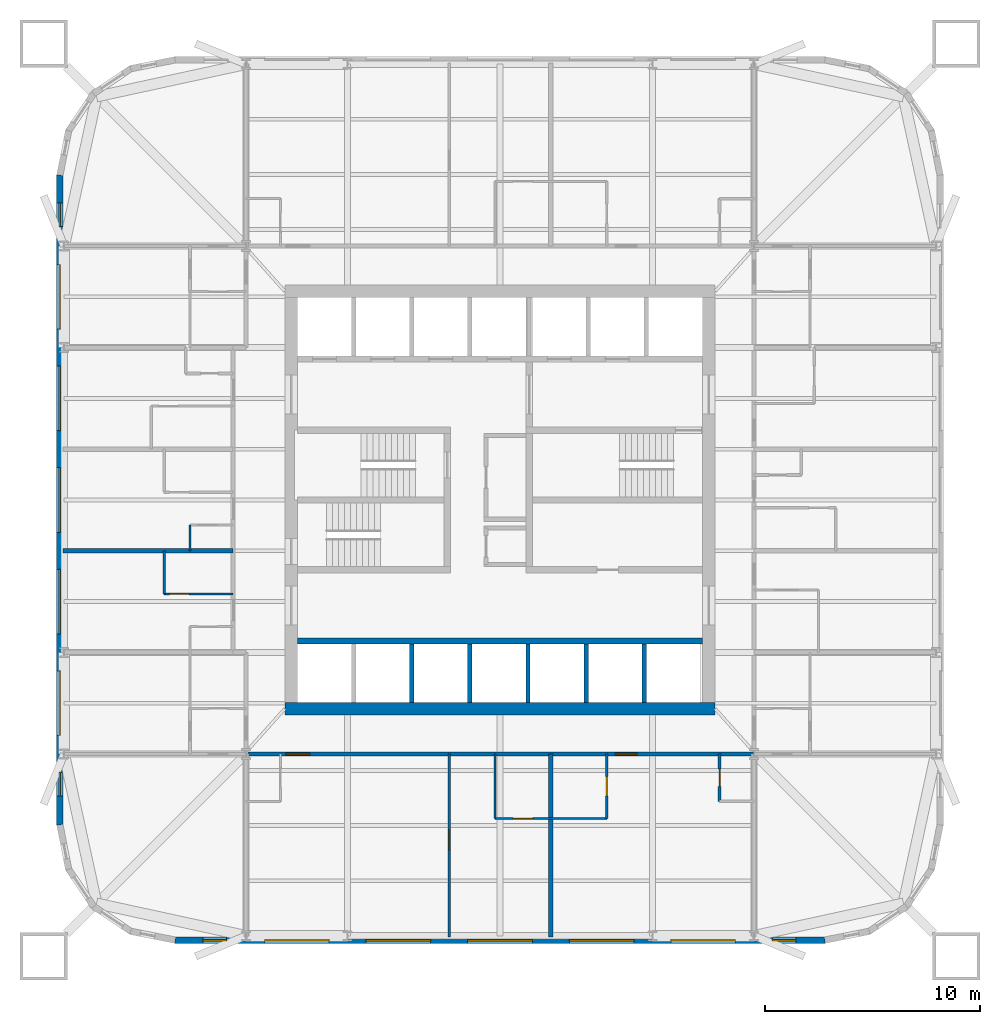
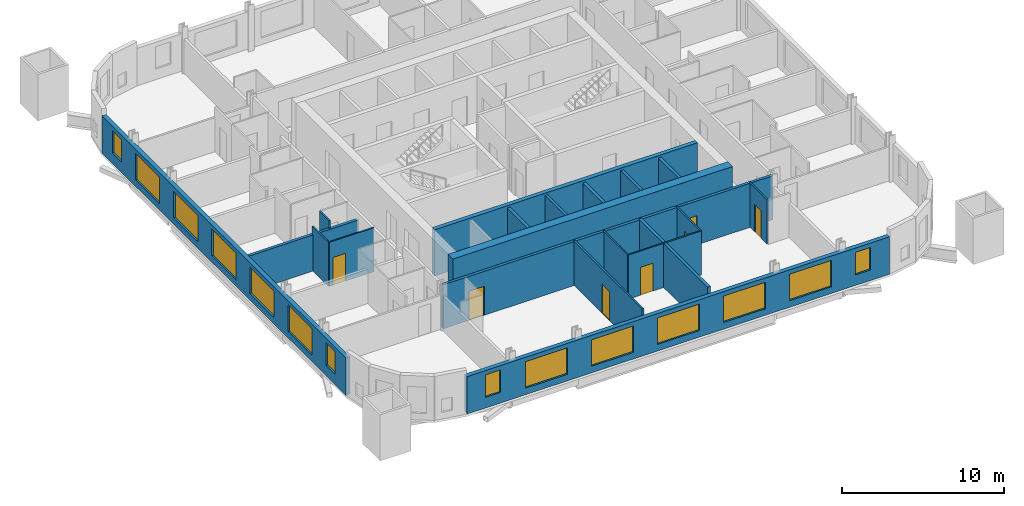
# One storey, part 3 of 9: 20 walls, 14 windows, 7 doors, 21 openings.
"""IFC4 building model written with IfcOpenShell, lengths in metres."""

import ifcopenshell
import ifcopenshell.guid

model = None  # the IFC model being written
_history = None  # IfcOwnerHistory: only IFC2X3 demands one
_inside = {}  # id of a spatial element -> (the spatial element, [elements in it])
_under = {}  # id of a project, library or spatial element -> (it, [spatial elements below it])
_declared = {}  # id of a project -> (the project, [libraries it declares])
_typed = {}  # id of a type object -> (the type object, [elements of that type])
_made_of = {}  # id of a material, layer set ... -> (it, [elements and type objects made of it])


def new_model(schema):
    """Start an empty IFC model of exactly this schema.

    Asked for "IFC4X3", IfcOpenShell would pick the latest addendum, in which some entities
    have other attributes; the version numbers below select the first issue.
    IFC2X3 requires an IfcOwnerHistory on every rooted entity: one is made here for all.
    """
    global model, _history
    if schema == "IFC4X3":
        model = ifcopenshell.file(schema_version=(4, 3, 0, 0))
    else:
        model = ifcopenshell.file(schema=schema)
    _inside.clear()
    _under.clear()
    _declared.clear()
    _typed.clear()
    _made_of.clear()
    _history = None
    if model.schema == "IFC2X3":
        org = make("IfcOrganization", Name="unknown")
        user = make(
            "IfcPersonAndOrganization",
            ThePerson=make("IfcPerson", FamilyName="unknown"),
            TheOrganization=org,
        )
        app = make(
            "IfcApplication",
            ApplicationDeveloper=org,
            Version="unknown",
            ApplicationFullName="unknown",
            ApplicationIdentifier="unknown",
        )
        _history = make(
            "IfcOwnerHistory",
            OwningUser=user,
            OwningApplication=app,
            ChangeAction="ADDED",
            CreationDate=0,
        )
    return model


def make(cls, **values):
    """One entity of the class cls with the attributes given. An attribute that is None is left unset."""
    return model.create_entity(
        cls, **{name: value for name, value in values.items() if value is not None}
    )


def rooted(cls, **values):
    """An entity with a GlobalId (a new one), such as an element, a storey or a relation."""
    return make(cls, GlobalId=ifcopenshell.guid.new(), OwnerHistory=_history, **values)


def si_unit(unit_type, name, prefix=None):
    """IfcSIUnit, for example si_unit("LENGTHUNIT", "METRE", prefix="MILLI")."""
    return make("IfcSIUnit", UnitType=unit_type, Prefix=prefix, Name=name)


def assignment(units):
    """IfcUnitAssignment: the units of a project."""
    return None if units is None else make("IfcUnitAssignment", Units=units)


def point(xyz):
    """IfcCartesianPoint."""
    return None if xyz is None else make("IfcCartesianPoint", Coordinates=xyz)


def direction(xyz):
    """IfcDirection."""
    return None if xyz is None else make("IfcDirection", DirectionRatios=xyz)


def frame(location, z_axis=None, x_axis=None):
    """IfcAxis2Placement3D, a coordinate frame: its origin and axes. An axis left out is left unset."""
    return make(
        "IfcAxis2Placement3D",
        Location=point(location),
        Axis=direction(z_axis),
        RefDirection=direction(x_axis),
    )


def frame_2d(location, x_axis=None):
    """IfcAxis2Placement2D, a coordinate frame in the plane: its origin and x axis."""
    return make(
        "IfcAxis2Placement2D", Location=point(location), RefDirection=direction(x_axis)
    )


def origin():
    """The frame at (0, 0, 0) with its axes left unset."""
    return frame((0.0, 0.0, 0.0))


def place(relative_to, where):
    """IfcLocalPlacement: puts the frame where relative to a parent placement (None: the world)."""
    return make(
        "IfcLocalPlacement", PlacementRelTo=relative_to, RelativePlacement=where
    )


def context(
    kind, dimensions, precision=None, world=None, true_north=None, identifier=None
):
    """IfcGeometricRepresentationContext, for example the 3D "Model" context."""
    return make(
        "IfcGeometricRepresentationContext",
        ContextIdentifier=identifier,
        ContextType=kind,
        CoordinateSpaceDimension=dimensions,
        Precision=precision,
        WorldCoordinateSystem=world,
        TrueNorth=true_north,
    )


def subcontext(parent, identifier, kind, view, scale=None):
    """IfcGeometricRepresentationSubContext, for example "Body" below "Model"."""
    return make(
        "IfcGeometricRepresentationSubContext",
        ContextIdentifier=identifier,
        ContextType=kind,
        ParentContext=parent,
        TargetScale=scale,
        TargetView=view,
    )


def project(units=None, contexts=None):
    """IfcProject with its units and contexts."""
    return rooted(
        "IfcProject",
        Name="project",
        RepresentationContexts=contexts,
        UnitsInContext=assignment(units),
    )


def spatial(cls, under=None, at=None, **own):
    """A site, building, storey or space (cls), placed at a placement, below another one or the project."""
    s = rooted(cls, ObjectPlacement=at, **own)
    if under is not None:
        _under.setdefault(under.id(), (under, []))[1].append(s)
    return s


def profile(cls, at=None, kind="AREA", **sizes):
    """A parametric profile (cls). Its sizes go by their IFC names, for example OverallWidth=200.0."""
    return make(cls, ProfileType=kind, Position=at, **sizes)


def rectangle(**sizes):
    """IfcRectangleProfileDef."""
    return profile("IfcRectangleProfileDef", **sizes)


def extrude(swept, where, along, depth):
    """IfcExtrudedAreaSolid: the profile swept, set in the frame where, extruded along a direction by depth."""
    return make(
        "IfcExtrudedAreaSolid",
        SweptArea=swept,
        Position=where,
        ExtrudedDirection=direction(along),
        Depth=depth,
    )


def shape(context_of_items, identifier, shape_type, items):
    """IfcShapeRepresentation: the items that make up one representation, for example the "Body"."""
    return make(
        "IfcShapeRepresentation",
        ContextOfItems=context_of_items,
        RepresentationIdentifier=identifier,
        RepresentationType=shape_type,
        Items=items,
    )


def material(Name=None, Category=None):
    """IfcMaterial."""
    return make("IfcMaterial", Name=Name, Category=Category)


def layer(
    of_material, thickness, ventilated=None, Name=None, Category=None, Priority=None
):
    """IfcMaterialLayer: one layer of a wall or slab, of a material (None: an air gap)."""
    return make(
        "IfcMaterialLayer",
        Material=of_material,
        LayerThickness=thickness,
        IsVentilated=ventilated,
        Name=Name,
        Category=Category,
        Priority=Priority,
    )


def layer_set(layers, Name=None):
    """IfcMaterialLayerSet."""
    return make("IfcMaterialLayerSet", MaterialLayers=layers, LayerSetName=Name)


def made_of(thing, what):
    """Note that an element or type object is made of a material, layer set ...; save() writes the relation."""
    if what is not None:
        _made_of.setdefault(what.id(), (what, []))[1].append(thing)
    return thing


def type_object(cls, material=None, **own):
    """A type object (cls), such as IfcWallType, which elements share."""
    return made_of(rooted(cls, **own), material)


def element(
    cls,
    number,
    at=None,
    inside=None,
    cuts=None,
    type_object=None,
    material=None,
    context=None,
    identifier="Body",
    shape_type=None,
    held_by="IfcProductDefinitionShape",
    body=None,
    shapes=None,
    **own,
):
    """One element of the class cls, such as IfcWall. Its Tag is "e" and its number.

    at: its placement. inside: the storey or other place that contains it. cuts: it is an
    opening in that element (IfcRelVoidsElement). A single representation is given by context,
    identifier, shape_type and body (its items); several are given by shapes. held_by: the class
    of the entity that holds the representations. save() writes the other relations.
    """
    e = rooted(cls, Tag="e%d" % number, ObjectPlacement=at, **own)
    if body is not None:
        shapes = [shape(context, identifier, shape_type, body)]
    if shapes is not None:
        e.Representation = make(held_by, Representations=shapes)
    if inside is not None:
        _inside.setdefault(inside.id(), (inside, []))[1].append(e)
    if cuts is not None:
        rooted(
            "IfcRelVoidsElement", RelatingBuildingElement=cuts, RelatedOpeningElement=e
        )
    if type_object is not None:
        _typed.setdefault(type_object.id(), (type_object, []))[1].append(e)
    return made_of(e, material)


def fill(opening, filler):
    """IfcRelFillsElement: the door or window that sits in an opening."""
    return rooted(
        "IfcRelFillsElement",
        RelatingOpeningElement=opening,
        RelatedBuildingElement=filler,
    )


def aggregate(whole, parts):
    """IfcRelAggregates: a whole, such as a stair, and the parts it consists of."""
    return rooted("IfcRelAggregates", RelatingObject=whole, RelatedObjects=parts)


def save(model, path):
    """Write the relations noted so far, then the file.

    IfcRelAggregates (storeys below a building ...), IfcRelContainedInSpatialStructure (elements
    in a storey), IfcRelDefinesByType, IfcRelAssociatesMaterial and IfcRelDeclares: one each for
    every whole, place, type object, material and project.
    """
    for whole, parts in _under.values():
        aggregate(whole, parts)
    for where, things in _inside.values():
        rooted(
            "IfcRelContainedInSpatialStructure",
            RelatedElements=things,
            RelatingStructure=where,
        )
    for kind, things in _typed.values():
        rooted("IfcRelDefinesByType", RelatedObjects=things, RelatingType=kind)
    for what, things in _made_of.values():
        rooted("IfcRelAssociatesMaterial", RelatedObjects=things, RelatingMaterial=what)
    for by, libraries in _declared.values():
        rooted("IfcRelDeclares", RelatingContext=by, RelatedDefinitions=libraries)
    model.write(path)


model = new_model("IFC4")

# Units and contexts
model_context = context("Model", 3, precision=1e-05, world=origin(), true_north=direction((0.0, 1.0)))
body_context = subcontext(model_context, "Body", "Model", "MODEL_VIEW")
ifc_project = project(units=[si_unit("LENGTHUNIT", "METRE"), si_unit("AREAUNIT", "SQUARE_METRE"), si_unit("VOLUMEUNIT", "CUBIC_METRE"), si_unit("PLANEANGLEUNIT", "RADIAN"), si_unit("MASSUNIT", "GRAM", prefix="KILO")], contexts=[model_context])

# Site, building, storey
site_placement = place(None, origin())
site = spatial("IfcSite", under=ifc_project, at=site_placement, CompositionType="ELEMENT")
building_placement = place(site_placement, origin())
building = spatial("IfcBuilding", under=site, at=building_placement, Name="Turquesa Mirador Hotel Tower", CompositionType="ELEMENT")
storey_placement = place(building_placement, frame((0.0, 0.0, 145.89990234375)))
storey = spatial("IfcBuildingStorey", under=building, at=storey_placement, Name="L39", CompositionType="ELEMENT", Elevation=145.89990234375)

# Wall, opening, door
ifc_material_1 = material(Name="Gypsum board on steel studs", Category="steel")
ifc_layer_1 = layer(ifc_material_1, 0.10009765625)
ifc_layer_set_1 = layer_set([ifc_layer_1], Name="BATHROOM WALL 100")
wall_type_1 = type_object("IfcWallType", Name="BATHROOM WALL 100", PredefinedType="PARTITIONING", material=ifc_layer_set_1)
wall_1_placement = place(storey_placement, frame((54.760009765625, 30.199951171875, 0.0), z_axis=(0.0, 0.0, 1.0), x_axis=(1.0, 0.0, 0.0)))
wall_1 = element("IfcWall", 1, at=wall_1_placement, inside=storey, type_object=wall_type_1, Name="Partition L39 008", PredefinedType="PARTITIONING", context=body_context, shape_type="SweptSolid", body=[
    extrude(rectangle(XDim=5.199951171875, YDim=0.10009765625, at=frame_2d((2.60009765625, 0.0))), origin(), (0.0, 0.0, 1.0), 3.330078125),
])
opening_1_placement = place(wall_1_placement, frame((0.85009765625, 0.0, 0.0)))
opening_1 = element("IfcOpeningElement", 2, at=opening_1_placement, cuts=wall_1, Name="Opening D02", PredefinedType="OPENING", context=body_context, shape_type="SweptSolid", body=[
    extrude(rectangle(XDim=0.89990234375, YDim=2.10009765625, at=frame_2d((0.449951171875, 1.050048828125))), frame((0.0, 0.06005859375, 0.0), z_axis=(0.0, -1.0, 0.0), x_axis=(1.0, 0.0, 0.0)), (0.0, 0.0, 1.0), 0.1201171875),
])
ifc_material_2 = material(Name="Timber veneered door", Category="wood")
door_type_1 = type_object("IfcDoorType", Name="DOOR 900X2100 EN-SUITE", OperationType="SINGLE_SWING_RIGHT", PredefinedType="DOOR", material=ifc_material_2)
door_1_placement = place(opening_1_placement, origin())
door_1 = element("IfcDoor", 3, at=door_1_placement, inside=storey, type_object=door_type_1, Name="Door 3903B", OperationType="SINGLE_SWING_RIGHT", OverallHeight=2.10009765625, OverallWidth=0.89990234375, PredefinedType="DOOR", context=body_context, shape_type="SweptSolid", body=[
    extrude(rectangle(XDim=0.89990234375, YDim=2.10009765625, at=frame_2d((0.449951171875, 1.050048828125))), frame((0.0, 0.02490234375, 0.0), z_axis=(0.0, -1.0, 0.0), x_axis=(1.0, 0.0, 0.0)), (0.0, 0.0, 1.0), 0.050048828125),
])
fill(opening_1, door_1)

wall_2_placement = place(storey_placement, frame((39.39990234375, 40.639892578125, 0.0), z_axis=(0.0, 0.0, 1.0), x_axis=(1.0, 0.0, 0.0)))
wall_2 = element("IfcWall", 4, at=wall_2_placement, inside=storey, type_object=wall_type_1, Name="Partition L39 012", PredefinedType="PARTITIONING", context=body_context, shape_type="SweptSolid", body=[
    extrude(rectangle(XDim=3.2001953125, YDim=0.10009765625, at=frame_2d((1.60009765625, 0.0))), origin(), (0.0, 0.0, 1.0), 3.330078125),
])
opening_2_placement = place(wall_2_placement, frame((0.25, 0.0, 0.0)))
opening_2 = element("IfcOpeningElement", 5, at=opening_2_placement, cuts=wall_2, Name="Opening D02", PredefinedType="OPENING", context=body_context, shape_type="SweptSolid", body=[
    extrude(rectangle(XDim=0.89990234375, YDim=2.10009765625, at=frame_2d((0.449951171875, 1.050048828125))), frame((0.0, 0.06005859375, 0.0), z_axis=(0.0, -1.0, 0.0), x_axis=(1.0, 0.0, 0.0)), (0.0, 0.0, 1.0), 0.1201171875),
])
door_2_placement = place(opening_2_placement, origin())
door_2 = element("IfcDoor", 6, at=door_2_placement, inside=storey, type_object=door_type_1, Name="Door 3908B", OperationType="SINGLE_SWING_RIGHT", OverallHeight=2.10009765625, OverallWidth=0.89990234375, PredefinedType="DOOR", context=body_context, shape_type="SweptSolid", body=[
    extrude(rectangle(XDim=0.89990234375, YDim=2.10009765625, at=frame_2d((0.449951171875, 1.050048828125))), frame((0.0, 0.02490234375, 0.0), z_axis=(0.0, -1.0, 0.0), x_axis=(1.0, 0.0, 0.0)), (0.0, 0.0, 1.0), 0.050048828125),
])
fill(opening_2, door_2)

# Walls
wall_3_placement = place(storey_placement, frame((54.760009765625, 30.199951171875, 0.0), z_axis=(0.0, 0.0, 1.0), x_axis=(0.0, 1.0, 0.0)))
element("IfcWall", 7, at=wall_3_placement, inside=storey, type_object=wall_type_1, Name="Partition L39 039", PredefinedType="PARTITIONING", context=body_context, shape_type="SweptSolid", body=[
    extrude(rectangle(XDim=3.0, YDim=0.10009765625, at=frame_2d((1.5, 0.0))), origin(), (0.0, 0.0, 1.0), 3.330078125),
])
wall_4_placement = place(storey_placement, frame((40.60009765625, 42.639892578125, 0.0), z_axis=(0.0, 0.0, 1.0), x_axis=(0.0, 1.0, 0.0)))
element("IfcWall", 8, at=wall_4_placement, inside=storey, type_object=wall_type_1, Name="Partition L39 049", PredefinedType="PARTITIONING", context=body_context, shape_type="SweptSolid", body=[
    extrude(rectangle(XDim=1.2001953125, YDim=0.10009765625, at=frame_2d((0.60009765625, 0.0))), origin(), (0.0, 0.0, 1.0), 3.330078125),
])
wall_5_placement = place(storey_placement, frame((39.39990234375, 40.639892578125, 0.0), z_axis=(0.0, 0.0, 1.0), x_axis=(0.0, 1.0, 0.0)))
element("IfcWall", 9, at=wall_5_placement, inside=storey, type_object=wall_type_1, Name="Partition L39 054", PredefinedType="PARTITIONING", context=body_context, shape_type="SweptSolid", body=[
    extrude(rectangle(XDim=2.0, YDim=0.10009765625, at=frame_2d((1.0, 0.0))), origin(), (0.0, 0.0, 1.0), 3.330078125),
])

# Wall, opening, door
wall_6_placement = place(storey_placement, frame((59.9599609375, 30.199951171875, 0.0), z_axis=(0.0, 0.0, 1.0), x_axis=(0.0, 1.0, 0.0)))
wall_6 = element("IfcWall", 10, at=wall_6_placement, inside=storey, type_object=wall_type_1, Name="Partition L39 074", PredefinedType="PARTITIONING", context=body_context, shape_type="SweptSolid", body=[
    extrude(rectangle(XDim=3.0, YDim=0.10009765625, at=frame_2d((1.5, 0.0))), origin(), (0.0, 0.0, 1.0), 3.330078125),
])
opening_3_placement = place(wall_6_placement, frame((1.050048828125, 0.0, 0.0)))
opening_3 = element("IfcOpeningElement", 11, at=opening_3_placement, cuts=wall_6, Name="Opening D02", PredefinedType="OPENING", context=body_context, shape_type="SweptSolid", body=[
    extrude(rectangle(XDim=0.89990234375, YDim=2.10009765625, at=frame_2d((0.449951171875, 1.050048828125))), frame((0.0, 0.06005859375, 0.0), z_axis=(0.0, -1.0, 0.0), x_axis=(1.0, 0.0, 0.0)), (0.0, 0.0, 1.0), 0.1201171875),
])
door_3_placement = place(opening_3_placement, origin())
door_3 = element("IfcDoor", 12, at=door_3_placement, inside=storey, type_object=door_type_1, Name="Door 3904B", OperationType="SINGLE_SWING_RIGHT", OverallHeight=2.10009765625, OverallWidth=0.89990234375, PredefinedType="DOOR", context=body_context, shape_type="SweptSolid", body=[
    extrude(rectangle(XDim=0.89990234375, YDim=2.10009765625, at=frame_2d((0.449951171875, 1.050048828125))), frame((0.0, 0.02490234375, 0.0), z_axis=(0.0, -1.0, 0.0), x_axis=(1.0, 0.0, 0.0)), (0.0, 0.0, 1.0), 0.050048828125),
])
fill(opening_3, door_3)

# Walls
ifc_material_3 = material(Name="Concrete C50/60", Category="concrete")
ifc_layer_2 = layer(ifc_material_3, 0.300048828125)
ifc_layer_set_2 = layer_set([ifc_layer_2], Name="CORE INNER WALL 300")
wall_type_2 = type_object("IfcWallType", Name="CORE INNER WALL 300", PredefinedType="SHEAR", material=ifc_layer_set_2)
wall_7_placement = place(storey_placement, frame((45.60009765625, 38.449951171875, 0.0), z_axis=(0.0, 0.0, 1.0), x_axis=(1.0, 0.0, 0.0)))
element("IfcWall", 13, at=wall_7_placement, inside=storey, type_object=wall_type_2, Name="Core wall SL", PredefinedType="SHEAR", context=body_context, shape_type="SweptSolid", body=[
    extrude(rectangle(XDim=18.7998046875, YDim=0.300048828125, at=frame_2d((9.39990234375, 0.0))), origin(), (0.0, 0.0, 1.0), 3.5),
])
ifc_material_4 = material(Name="Concrete C50/60", Category="concrete")
ifc_layer_3 = layer(ifc_material_4, 0.60009765625)
ifc_layer_set_3 = layer_set([ifc_layer_3], Name="CORE WALL 600")
wall_type_3 = type_object("IfcWallType", Name="CORE WALL 600", PredefinedType="SHEAR", material=ifc_layer_set_3)
wall_8_placement = place(storey_placement, frame((45.0, 35.300048828125, 0.0), z_axis=(0.0, 0.0, 1.0), x_axis=(1.0, 0.0, 0.0)))
element("IfcWall", 14, at=wall_8_placement, inside=storey, type_object=wall_type_3, Name="Core wall S", PredefinedType="SHEAR", context=body_context, shape_type="SweptSolid", body=[
    extrude(rectangle(XDim=20.0, YDim=0.60009765625, at=frame_2d((10.0, 0.0))), origin(), (0.0, 0.0, 1.0), 3.5),
])

# Wall, openings, doors
ifc_material_5 = material(Name="Fire-rated gypsum board on steel studs", Category="steel")
ifc_layer_4 = layer(ifc_material_5, 0.199951171875)
ifc_layer_set_4 = layer_set([ifc_layer_4], Name="CORRIDOR WALL 200")
wall_type_4 = type_object("IfcWallType", Name="CORRIDOR WALL 200", PredefinedType="PARTITIONING", material=ifc_layer_set_4)
wall_9_placement = place(storey_placement, frame((43.199951171875, 33.199951171875, 0.0), z_axis=(0.0, 0.0, 1.0), x_axis=(1.0, 0.0, 0.0)))
wall_9 = element("IfcWall", 15, at=wall_9_placement, inside=storey, type_object=wall_type_4, Name="Partition L39 003", PredefinedType="PARTITIONING", context=body_context, shape_type="SweptSolid", body=[
    extrude(rectangle(XDim=23.60009765625, YDim=0.199951171875, at=frame_2d((11.800048828125, 0.0))), origin(), (0.0, 0.0, 1.0), 3.330078125),
])
opening_4_placement = place(wall_9_placement, frame((1.85009765625, 0.0, 0.0)))
opening_4 = element("IfcOpeningElement", 16, at=opening_4_placement, cuts=wall_9, Name="Opening D15", PredefinedType="OPENING", context=body_context, shape_type="SweptSolid", body=[
    extrude(rectangle(XDim=1.10009765625, YDim=2.199951171875, at=frame_2d((0.550048828125, 1.10009765625))), frame((0.0, 0.10986328125, 0.0), z_axis=(0.0, -1.0, 0.0), x_axis=(1.0, 0.0, 0.0)), (0.0, 0.0, 1.0), 0.219970703125),
])
opening_5_placement = place(wall_9_placement, frame((17.159912109375, 0.0, 0.0)))
opening_5 = element("IfcOpeningElement", 17, at=opening_5_placement, cuts=wall_9, Name="Opening D01", PredefinedType="OPENING", context=body_context, shape_type="SweptSolid", body=[
    extrude(rectangle(XDim=1.0, YDim=2.199951171875, at=frame_2d((0.5, 1.10009765625))), frame((0.0, 0.10986328125, 0.0), z_axis=(0.0, -1.0, 0.0), x_axis=(1.0, 0.0, 0.0)), (0.0, 0.0, 1.0), 0.219970703125),
])
ifc_material_6 = material(Name="Timber veneered fire door", Category="wood")
door_type_2 = type_object("IfcDoorType", Name="DOOR 1000X2200 GUEST ENTRY", OperationType="SINGLE_SWING_LEFT", PredefinedType="DOOR", material=ifc_material_6)
door_4_placement = place(opening_5_placement, origin())
door_4 = element("IfcDoor", 18, at=door_4_placement, inside=storey, type_object=door_type_2, Name="Door 3904", OperationType="SINGLE_SWING_LEFT", OverallHeight=2.199951171875, OverallWidth=1.0, PredefinedType="DOOR", context=body_context, shape_type="SweptSolid", body=[
    extrude(rectangle(XDim=1.0, YDim=2.199951171875, at=frame_2d((0.5, 1.10009765625))), frame((0.0, 0.02490234375, 0.0), z_axis=(0.0, -1.0, 0.0), x_axis=(1.0, 0.0, 0.0)), (0.0, 0.0, 1.0), 0.050048828125),
])
fill(opening_5, door_4)
ifc_material_7 = material(Name="Timber veneered fire door", Category="wood")
door_type_3 = type_object("IfcDoorType", Name="DOOR 1100X2200 SUITE ENTRY", OperationType="SINGLE_SWING_LEFT", PredefinedType="DOOR", material=ifc_material_7)
door_5_placement = place(opening_4_placement, origin())
door_5 = element("IfcDoor", 19, at=door_5_placement, inside=storey, type_object=door_type_3, Name="Door 3903", OperationType="SINGLE_SWING_LEFT", OverallHeight=2.199951171875, OverallWidth=1.10009765625, PredefinedType="DOOR", context=body_context, shape_type="SweptSolid", body=[
    extrude(rectangle(XDim=1.10009765625, YDim=2.199951171875, at=frame_2d((0.550048828125, 1.10009765625))), frame((0.0, 0.02490234375, 0.0), z_axis=(0.0, -1.0, 0.0), x_axis=(1.0, 0.0, 0.0)), (0.0, 0.0, 1.0), 0.050048828125),
])
fill(opening_4, door_5)

# Wall, openings, windows
ifc_material_8 = material(Name="Limestone cladding on concrete block", Category="masonry")
ifc_layer_5 = layer(ifc_material_8, 0.300048828125)
ifc_layer_set_5 = layer_set([ifc_layer_5], Name="FACADE WALL 300 STONE SCREEN")
wall_type_5 = type_object("IfcWallType", Name="FACADE WALL 300 STONE SCREEN", PredefinedType="SOLIDWALL", material=ifc_layer_set_5)
wall_10_placement = place(storey_placement, frame((34.550048828125, 60.10009765625, 0.0), z_axis=(0.0, 0.0, 1.0), x_axis=(0.0, -1.0, 0.0)))
wall_10 = element("IfcWall", 20, at=wall_10_placement, inside=storey, type_object=wall_type_5, Name="Facade wall L39 14", PredefinedType="SOLIDWALL", context=body_context, shape_type="SweptSolid", body=[
    extrude(rectangle(XDim=30.2001953125, YDim=0.300048828125, at=frame_2d((15.10009765625, 0.0))), origin(), (0.0, 0.0, 1.0), 2.830078125),
])
opening_6_placement = place(wall_10_placement, frame((1.300048828125, 0.0, 0.800048828125)))
opening_6 = element("IfcOpeningElement", 21, at=opening_6_placement, cuts=wall_10, Name="Opening WN26", PredefinedType="OPENING", context=body_context, shape_type="SweptSolid", body=[
    extrude(rectangle(XDim=1.10009765625, YDim=1.699951171875, at=frame_2d((0.550048828125, 0.85009765625))), frame((0.0, 0.159912109375, 0.0), z_axis=(0.0, -1.0, 0.0), x_axis=(1.0, 0.0, 0.0)), (0.0, 0.0, 1.0), 0.320068359375),
])
opening_7_placement = place(wall_10_placement, frame((4.159912109375, 0.0, 0.5)))
opening_7 = element("IfcOpeningElement", 22, at=opening_7_placement, cuts=wall_10, Name="Opening WN1", PredefinedType="OPENING", context=body_context, shape_type="SweptSolid", body=[
    extrude(rectangle(XDim=3.0, YDim=2.0, at=frame_2d((1.5, 1.0))), frame((0.0, 0.159912109375, 0.0), z_axis=(0.0, -1.0, 0.0), x_axis=(1.0, 0.0, 0.0)), (0.0, 0.0, 1.0), 0.320068359375),
])
opening_8_placement = place(wall_10_placement, frame((8.8798828125, 0.0, 0.5)))
opening_8 = element("IfcOpeningElement", 23, at=opening_8_placement, cuts=wall_10, Name="Opening WN1", PredefinedType="OPENING", context=body_context, shape_type="SweptSolid", body=[
    extrude(rectangle(XDim=3.0, YDim=2.0, at=frame_2d((1.5, 1.0))), frame((0.0, 0.159912109375, 0.0), z_axis=(0.0, -1.0, 0.0), x_axis=(1.0, 0.0, 0.0)), (0.0, 0.0, 1.0), 0.320068359375),
])
opening_9_placement = place(wall_10_placement, frame((13.60009765625, 0.0, 0.5)))
opening_9 = element("IfcOpeningElement", 24, at=opening_9_placement, cuts=wall_10, Name="Opening WN1", PredefinedType="OPENING", context=body_context, shape_type="SweptSolid", body=[
    extrude(rectangle(XDim=3.0, YDim=2.0, at=frame_2d((1.5, 1.0))), frame((0.0, 0.159912109375, 0.0), z_axis=(0.0, -1.0, 0.0), x_axis=(1.0, 0.0, 0.0)), (0.0, 0.0, 1.0), 0.320068359375),
])
opening_10_placement = place(wall_10_placement, frame((18.320068359375, 0.0, 0.5)))
opening_10 = element("IfcOpeningElement", 25, at=opening_10_placement, cuts=wall_10, Name="Opening WN1", PredefinedType="OPENING", context=body_context, shape_type="SweptSolid", body=[
    extrude(rectangle(XDim=3.0, YDim=2.0, at=frame_2d((1.5, 1.0))), frame((0.0, 0.159912109375, 0.0), z_axis=(0.0, -1.0, 0.0), x_axis=(1.0, 0.0, 0.0)), (0.0, 0.0, 1.0), 0.320068359375),
])
opening_11_placement = place(wall_10_placement, frame((23.0400390625, 0.0, 0.5)))
opening_11 = element("IfcOpeningElement", 26, at=opening_11_placement, cuts=wall_10, Name="Opening WN1", PredefinedType="OPENING", context=body_context, shape_type="SweptSolid", body=[
    extrude(rectangle(XDim=3.0, YDim=2.0, at=frame_2d((1.5, 1.0))), frame((0.0, 0.159912109375, 0.0), z_axis=(0.0, -1.0, 0.0), x_axis=(1.0, 0.0, 0.0)), (0.0, 0.0, 1.0), 0.320068359375),
])
opening_12_placement = place(wall_10_placement, frame((27.75, 0.0, 0.800048828125)))
opening_12 = element("IfcOpeningElement", 27, at=opening_12_placement, cuts=wall_10, Name="Opening WN26", PredefinedType="OPENING", context=body_context, shape_type="SweptSolid", body=[
    extrude(rectangle(XDim=1.10009765625, YDim=1.699951171875, at=frame_2d((0.550048828125, 0.85009765625))), frame((0.0, 0.159912109375, 0.0), z_axis=(0.0, -1.0, 0.0), x_axis=(1.0, 0.0, 0.0)), (0.0, 0.0, 1.0), 0.320068359375),
])
ifc_material_9 = material(Name="Ceramic-fritted laminated glass", Category="glass")
window_type_1 = type_object("IfcWindowType", Name="FRITTED WINDOW 1100X1700", PartitioningType="DOUBLE_PANEL_HORIZONTAL", PredefinedType="WINDOW", material=ifc_material_9)
window_1_placement = place(opening_6_placement, origin())
window_1 = element("IfcWindow", 28, at=window_1_placement, inside=storey, type_object=window_type_1, Name="Window L39", OverallHeight=1.699951171875, OverallWidth=1.10009765625, PartitioningType="SINGLE_PANEL", PredefinedType="WINDOW", context=body_context, shape_type="SweptSolid", body=[
    extrude(rectangle(XDim=1.10009765625, YDim=1.699951171875, at=frame_2d((0.550048828125, 0.85009765625))), frame((0.0, 0.030029296875, 0.0), z_axis=(0.0, -1.0, 0.0), x_axis=(1.0, 0.0, 0.0)), (0.0, 0.0, 1.0), 0.06005859375),
])
fill(opening_6, window_1)
window_2_placement = place(opening_12_placement, origin())
window_2 = element("IfcWindow", 29, at=window_2_placement, inside=storey, type_object=window_type_1, Name="Window L39", OverallHeight=1.699951171875, OverallWidth=1.10009765625, PartitioningType="SINGLE_PANEL", PredefinedType="WINDOW", context=body_context, shape_type="SweptSolid", body=[
    extrude(rectangle(XDim=1.10009765625, YDim=1.699951171875, at=frame_2d((0.550048828125, 0.85009765625))), frame((0.0, 0.030029296875, 0.0), z_axis=(0.0, -1.0, 0.0), x_axis=(1.0, 0.0, 0.0)), (0.0, 0.0, 1.0), 0.06005859375),
])
fill(opening_12, window_2)
ifc_material_10 = material(Name="Ceramic-fritted laminated glass", Category="glass")
window_type_2 = type_object("IfcWindowType", Name="FRITTED WINDOW 3000X2000", PartitioningType="DOUBLE_PANEL_HORIZONTAL", PredefinedType="WINDOW", material=ifc_material_10)
window_3_placement = place(opening_7_placement, origin())
window_3 = element("IfcWindow", 30, at=window_3_placement, inside=storey, type_object=window_type_2, Name="Window L39", OverallHeight=2.0, OverallWidth=3.0, PartitioningType="SINGLE_PANEL", PredefinedType="WINDOW", context=body_context, shape_type="SweptSolid", body=[
    extrude(rectangle(XDim=3.0, YDim=2.0, at=frame_2d((1.5, 1.0))), frame((0.0, 0.030029296875, 0.0), z_axis=(0.0, -1.0, 0.0), x_axis=(1.0, 0.0, 0.0)), (0.0, 0.0, 1.0), 0.06005859375),
])
fill(opening_7, window_3)
window_4_placement = place(opening_8_placement, origin())
window_4 = element("IfcWindow", 31, at=window_4_placement, inside=storey, type_object=window_type_2, Name="Window L39", OverallHeight=2.0, OverallWidth=3.0, PartitioningType="SINGLE_PANEL", PredefinedType="WINDOW", context=body_context, shape_type="SweptSolid", body=[
    extrude(rectangle(XDim=3.0, YDim=2.0, at=frame_2d((1.5, 1.0))), frame((0.0, 0.030029296875, 0.0), z_axis=(0.0, -1.0, 0.0), x_axis=(1.0, 0.0, 0.0)), (0.0, 0.0, 1.0), 0.06005859375),
])
fill(opening_8, window_4)
window_5_placement = place(opening_9_placement, origin())
window_5 = element("IfcWindow", 32, at=window_5_placement, inside=storey, type_object=window_type_2, Name="Window L39", OverallHeight=2.0, OverallWidth=3.0, PartitioningType="SINGLE_PANEL", PredefinedType="WINDOW", context=body_context, shape_type="SweptSolid", body=[
    extrude(rectangle(XDim=3.0, YDim=2.0, at=frame_2d((1.5, 1.0))), frame((0.0, 0.030029296875, 0.0), z_axis=(0.0, -1.0, 0.0), x_axis=(1.0, 0.0, 0.0)), (0.0, 0.0, 1.0), 0.06005859375),
])
fill(opening_9, window_5)
window_6_placement = place(opening_10_placement, origin())
window_6 = element("IfcWindow", 33, at=window_6_placement, inside=storey, type_object=window_type_2, Name="Window L39", OverallHeight=2.0, OverallWidth=3.0, PartitioningType="SINGLE_PANEL", PredefinedType="WINDOW", context=body_context, shape_type="SweptSolid", body=[
    extrude(rectangle(XDim=3.0, YDim=2.0, at=frame_2d((1.5, 1.0))), frame((0.0, 0.030029296875, 0.0), z_axis=(0.0, -1.0, 0.0), x_axis=(1.0, 0.0, 0.0)), (0.0, 0.0, 1.0), 0.06005859375),
])
fill(opening_10, window_6)
window_7_placement = place(opening_11_placement, origin())
window_7 = element("IfcWindow", 34, at=window_7_placement, inside=storey, type_object=window_type_2, Name="Window L39", OverallHeight=2.0, OverallWidth=3.0, PartitioningType="SINGLE_PANEL", PredefinedType="WINDOW", context=body_context, shape_type="SweptSolid", body=[
    extrude(rectangle(XDim=3.0, YDim=2.0, at=frame_2d((1.5, 1.0))), frame((0.0, 0.030029296875, 0.0), z_axis=(0.0, -1.0, 0.0), x_axis=(1.0, 0.0, 0.0)), (0.0, 0.0, 1.0), 0.06005859375),
])
fill(opening_11, window_7)

wall_11_placement = place(storey_placement, frame((39.89990234375, 24.550048828125, 0.0), z_axis=(0.0, 0.0, 1.0), x_axis=(1.0, 0.0, 0.0)))
wall_11 = element("IfcWall", 35, at=wall_11_placement, inside=storey, type_object=wall_type_5, Name="Facade wall L39 19", PredefinedType="SOLIDWALL", context=body_context, shape_type="SweptSolid", body=[
    extrude(rectangle(XDim=30.2001953125, YDim=0.300048828125, at=frame_2d((15.10009765625, 0.0))), origin(), (0.0, 0.0, 1.0), 2.830078125),
])
opening_13_placement = place(wall_11_placement, frame((1.300048828125, 0.0, 0.800048828125)))
opening_13 = element("IfcOpeningElement", 36, at=opening_13_placement, cuts=wall_11, Name="Opening WN26", PredefinedType="OPENING", context=body_context, shape_type="SweptSolid", body=[
    extrude(rectangle(XDim=1.10009765625, YDim=1.699951171875, at=frame_2d((0.550048828125, 0.85009765625))), frame((0.0, 0.159912109375, 0.0), z_axis=(0.0, -1.0, 0.0), x_axis=(1.0, 0.0, 0.0)), (0.0, 0.0, 1.0), 0.320068359375),
])
opening_14_placement = place(wall_11_placement, frame((4.159912109375, 0.0, 0.5)))
opening_14 = element("IfcOpeningElement", 37, at=opening_14_placement, cuts=wall_11, Name="Opening WN1", PredefinedType="OPENING", context=body_context, shape_type="SweptSolid", body=[
    extrude(rectangle(XDim=3.0, YDim=2.0, at=frame_2d((1.5, 1.0))), frame((0.0, 0.159912109375, 0.0), z_axis=(0.0, -1.0, 0.0), x_axis=(1.0, 0.0, 0.0)), (0.0, 0.0, 1.0), 0.320068359375),
])
opening_15_placement = place(wall_11_placement, frame((8.8798828125, 0.0, 0.5)))
opening_15 = element("IfcOpeningElement", 38, at=opening_15_placement, cuts=wall_11, Name="Opening WN1", PredefinedType="OPENING", context=body_context, shape_type="SweptSolid", body=[
    extrude(rectangle(XDim=3.0, YDim=2.0, at=frame_2d((1.5, 1.0))), frame((0.0, 0.159912109375, 0.0), z_axis=(0.0, -1.0, 0.0), x_axis=(1.0, 0.0, 0.0)), (0.0, 0.0, 1.0), 0.320068359375),
])
opening_16_placement = place(wall_11_placement, frame((13.60009765625, 0.0, 0.5)))
opening_16 = element("IfcOpeningElement", 39, at=opening_16_placement, cuts=wall_11, Name="Opening WN1", PredefinedType="OPENING", context=body_context, shape_type="SweptSolid", body=[
    extrude(rectangle(XDim=3.0, YDim=2.0, at=frame_2d((1.5, 1.0))), frame((0.0, 0.159912109375, 0.0), z_axis=(0.0, -1.0, 0.0), x_axis=(1.0, 0.0, 0.0)), (0.0, 0.0, 1.0), 0.320068359375),
])
opening_17_placement = place(wall_11_placement, frame((18.320068359375, 0.0, 0.5)))
opening_17 = element("IfcOpeningElement", 40, at=opening_17_placement, cuts=wall_11, Name="Opening WN1", PredefinedType="OPENING", context=body_context, shape_type="SweptSolid", body=[
    extrude(rectangle(XDim=3.0, YDim=2.0, at=frame_2d((1.5, 1.0))), frame((0.0, 0.159912109375, 0.0), z_axis=(0.0, -1.0, 0.0), x_axis=(1.0, 0.0, 0.0)), (0.0, 0.0, 1.0), 0.320068359375),
])
opening_18_placement = place(wall_11_placement, frame((23.0400390625, 0.0, 0.5)))
opening_18 = element("IfcOpeningElement", 41, at=opening_18_placement, cuts=wall_11, Name="Opening WN1", PredefinedType="OPENING", context=body_context, shape_type="SweptSolid", body=[
    extrude(rectangle(XDim=3.0, YDim=2.0, at=frame_2d((1.5, 1.0))), frame((0.0, 0.159912109375, 0.0), z_axis=(0.0, -1.0, 0.0), x_axis=(1.0, 0.0, 0.0)), (0.0, 0.0, 1.0), 0.320068359375),
])
opening_19_placement = place(wall_11_placement, frame((27.75, 0.0, 0.800048828125)))
opening_19 = element("IfcOpeningElement", 42, at=opening_19_placement, cuts=wall_11, Name="Opening WN26", PredefinedType="OPENING", context=body_context, shape_type="SweptSolid", body=[
    extrude(rectangle(XDim=1.10009765625, YDim=1.699951171875, at=frame_2d((0.550048828125, 0.85009765625))), frame((0.0, 0.159912109375, 0.0), z_axis=(0.0, -1.0, 0.0), x_axis=(1.0, 0.0, 0.0)), (0.0, 0.0, 1.0), 0.320068359375),
])
window_8_placement = place(opening_13_placement, origin())
window_8 = element("IfcWindow", 43, at=window_8_placement, inside=storey, type_object=window_type_1, Name="Window L39", OverallHeight=1.699951171875, OverallWidth=1.10009765625, PartitioningType="SINGLE_PANEL", PredefinedType="WINDOW", context=body_context, shape_type="SweptSolid", body=[
    extrude(rectangle(XDim=1.10009765625, YDim=1.699951171875, at=frame_2d((0.550048828125, 0.85009765625))), frame((0.0, 0.030029296875, 0.0), z_axis=(0.0, -1.0, 0.0), x_axis=(1.0, 0.0, 0.0)), (0.0, 0.0, 1.0), 0.06005859375),
])
fill(opening_13, window_8)
window_9_placement = place(opening_19_placement, origin())
window_9 = element("IfcWindow", 44, at=window_9_placement, inside=storey, type_object=window_type_1, Name="Window L39", OverallHeight=1.699951171875, OverallWidth=1.10009765625, PartitioningType="SINGLE_PANEL", PredefinedType="WINDOW", context=body_context, shape_type="SweptSolid", body=[
    extrude(rectangle(XDim=1.10009765625, YDim=1.699951171875, at=frame_2d((0.550048828125, 0.85009765625))), frame((0.0, 0.030029296875, 0.0), z_axis=(0.0, -1.0, 0.0), x_axis=(1.0, 0.0, 0.0)), (0.0, 0.0, 1.0), 0.06005859375),
])
fill(opening_19, window_9)
window_10_placement = place(opening_14_placement, origin())
window_10 = element("IfcWindow", 45, at=window_10_placement, inside=storey, type_object=window_type_2, Name="Window L39", OverallHeight=2.0, OverallWidth=3.0, PartitioningType="SINGLE_PANEL", PredefinedType="WINDOW", context=body_context, shape_type="SweptSolid", body=[
    extrude(rectangle(XDim=3.0, YDim=2.0, at=frame_2d((1.5, 1.0))), frame((0.0, 0.030029296875, 0.0), z_axis=(0.0, -1.0, 0.0), x_axis=(1.0, 0.0, 0.0)), (0.0, 0.0, 1.0), 0.06005859375),
])
fill(opening_14, window_10)
window_11_placement = place(opening_15_placement, origin())
window_11 = element("IfcWindow", 46, at=window_11_placement, inside=storey, type_object=window_type_2, Name="Window L39", OverallHeight=2.0, OverallWidth=3.0, PartitioningType="SINGLE_PANEL", PredefinedType="WINDOW", context=body_context, shape_type="SweptSolid", body=[
    extrude(rectangle(XDim=3.0, YDim=2.0, at=frame_2d((1.5, 1.0))), frame((0.0, 0.030029296875, 0.0), z_axis=(0.0, -1.0, 0.0), x_axis=(1.0, 0.0, 0.0)), (0.0, 0.0, 1.0), 0.06005859375),
])
fill(opening_15, window_11)
window_12_placement = place(opening_16_placement, origin())
window_12 = element("IfcWindow", 47, at=window_12_placement, inside=storey, type_object=window_type_2, Name="Window L39", OverallHeight=2.0, OverallWidth=3.0, PartitioningType="SINGLE_PANEL", PredefinedType="WINDOW", context=body_context, shape_type="SweptSolid", body=[
    extrude(rectangle(XDim=3.0, YDim=2.0, at=frame_2d((1.5, 1.0))), frame((0.0, 0.030029296875, 0.0), z_axis=(0.0, -1.0, 0.0), x_axis=(1.0, 0.0, 0.0)), (0.0, 0.0, 1.0), 0.06005859375),
])
fill(opening_16, window_12)
window_13_placement = place(opening_17_placement, origin())
window_13 = element("IfcWindow", 48, at=window_13_placement, inside=storey, type_object=window_type_2, Name="Window L39", OverallHeight=2.0, OverallWidth=3.0, PartitioningType="SINGLE_PANEL", PredefinedType="WINDOW", context=body_context, shape_type="SweptSolid", body=[
    extrude(rectangle(XDim=3.0, YDim=2.0, at=frame_2d((1.5, 1.0))), frame((0.0, 0.030029296875, 0.0), z_axis=(0.0, -1.0, 0.0), x_axis=(1.0, 0.0, 0.0)), (0.0, 0.0, 1.0), 0.06005859375),
])
fill(opening_17, window_13)
window_14_placement = place(opening_18_placement, origin())
window_14 = element("IfcWindow", 49, at=window_14_placement, inside=storey, type_object=window_type_2, Name="Window L39", OverallHeight=2.0, OverallWidth=3.0, PartitioningType="SINGLE_PANEL", PredefinedType="WINDOW", context=body_context, shape_type="SweptSolid", body=[
    extrude(rectangle(XDim=3.0, YDim=2.0, at=frame_2d((1.5, 1.0))), frame((0.0, 0.030029296875, 0.0), z_axis=(0.0, -1.0, 0.0), x_axis=(1.0, 0.0, 0.0)), (0.0, 0.0, 1.0), 0.06005859375),
])
fill(opening_18, window_14)

# Walls
ifc_material_11 = material(Name="Fire-rated gypsum shaft wall on steel studs", Category="steel")
ifc_layer_6 = layer(ifc_material_11, 0.199951171875)
ifc_layer_set_6 = layer_set([ifc_layer_6], Name="LIFT SHAFT DIVIDER 200")
wall_type_6 = type_object("IfcWallType", Name="LIFT SHAFT DIVIDER 200", PredefinedType="PARTITIONING", material=ifc_layer_set_6)
for number, where, z_axis, x_axis, name in (
    (50, (50.89990234375, 35.60009765625, 0.0), (0.0, 0.0, 1.0), (0.0, 1.0, 0.0), "Lift shaft divider"),
    (51, (53.60009765625, 35.60009765625, 0.0), (0.0, 0.0, 1.0), (0.0, 1.0, 0.0), "Lift shaft divider"),
    (52, (56.300048828125, 35.60009765625, 0.0), (0.0, 0.0, 1.0), (0.0, 1.0, 0.0), "Lift shaft divider"),
    (53, (59.0, 35.60009765625, 0.0), (0.0, 0.0, 1.0), (0.0, 1.0, 0.0), "Lift shaft divider"),
    (54, (61.699951171875, 35.60009765625, 0.0), (0.0, 0.0, 1.0), (0.0, 1.0, 0.0), "Lift shaft divider"),
):
    element("IfcWall", number, at=place(storey_placement, frame(where, z_axis=z_axis, x_axis=x_axis)), inside=storey, type_object=wall_type_6, Name=name, PredefinedType="PARTITIONING", context=body_context, shape_type="SweptSolid", body=[
        extrude(rectangle(XDim=2.699951171875, YDim=0.199951171875, at=frame_2d((1.35009765625, 0.0))), origin(), (0.0, 0.0, 1.0), 3.330078125),
    ])
ifc_material_12 = material(Name="Fire-rated gypsum board on steel studs", Category="steel")
ifc_layer_7 = layer(ifc_material_12, 0.199951171875)
ifc_layer_set_7 = layer_set([ifc_layer_7], Name="PARTY WALL 200")
wall_type_7 = type_object("IfcWallType", Name="PARTY WALL 200", PredefinedType="PARTITIONING", material=ifc_layer_set_7)
wall_12_placement = place(storey_placement, frame((34.699951171875, 42.639892578125, 0.0), z_axis=(0.0, 0.0, 1.0), x_axis=(1.0, 0.0, 0.0)))
element("IfcWall", 55, at=wall_12_placement, inside=storey, type_object=wall_type_7, Name="Partition L39 009", PredefinedType="PARTITIONING", context=body_context, shape_type="SweptSolid", body=[
    extrude(rectangle(XDim=7.900146484375, YDim=0.199951171875, at=frame_2d((3.9501953125, 0.0))), origin(), (0.0, 0.0, 1.0), 2.730712890625),
])
wall_13_placement = place(storey_placement, frame((57.360107421875, 24.699951171875, 0.0), z_axis=(0.0, 0.0, 1.0), x_axis=(0.0, 1.0, 0.0)))
element("IfcWall", 56, at=wall_13_placement, inside=storey, type_object=wall_type_7, Name="Partition L39 072", PredefinedType="PARTITIONING", context=body_context, shape_type="SweptSolid", body=[
    extrude(rectangle(XDim=8.5, YDim=0.199951171875, at=frame_2d((4.25, 0.0))), origin(), (0.0, 0.0, 1.0), 3.330078125),
])

# Wall, opening, door
ifc_material_13 = material(Name="Acoustic gypsum board on steel studs", Category="steel")
ifc_layer_8 = layer(ifc_material_13, 0.125)
ifc_layer_set_8 = layer_set([ifc_layer_8], Name="SUITE PARTITION 125")
wall_type_8 = type_object("IfcWallType", Name="SUITE PARTITION 125", PredefinedType="PARTITIONING", material=ifc_layer_set_8)
wall_14_placement = place(storey_placement, frame((52.639892578125, 24.699951171875, 0.0), z_axis=(0.0, 0.0, 1.0), x_axis=(0.0, 1.0, 0.0)))
wall_14 = element("IfcWall", 57, at=wall_14_placement, inside=storey, type_object=wall_type_8, Name="Partition L39 057", PredefinedType="PARTITIONING", context=body_context, shape_type="SweptSolid", body=[
    extrude(rectangle(XDim=8.5, YDim=0.125, at=frame_2d((4.25, 0.0))), origin(), (0.0, 0.0, 1.0), 3.330078125),
])
opening_20_placement = place(wall_14_placement, frame((4.050048828125, 0.0, 0.0)))
opening_20 = element("IfcOpeningElement", 58, at=opening_20_placement, cuts=wall_14, Name="Opening D17", PredefinedType="OPENING", context=body_context, shape_type="SweptSolid", body=[
    extrude(rectangle(XDim=0.89990234375, YDim=2.199951171875, at=frame_2d((0.449951171875, 1.10009765625))), frame((0.0, 0.072509765625, 0.0), z_axis=(0.0, -1.0, 0.0), x_axis=(1.0, 0.0, 0.0)), (0.0, 0.0, 1.0), 0.14501953125),
])
ifc_material_14 = material(Name="Timber veneered door", Category="wood")
door_type_4 = type_object("IfcDoorType", Name="DOOR 900X2200 SUITE INTERNAL", OperationType="SINGLE_SWING_LEFT", PredefinedType="DOOR", material=ifc_material_14)
door_6_placement = place(opening_20_placement, origin())
door_6 = element("IfcDoor", 59, at=door_6_placement, inside=storey, type_object=door_type_4, Name="Door 3903R", OperationType="SINGLE_SWING_LEFT", OverallHeight=2.199951171875, OverallWidth=0.89990234375, PredefinedType="DOOR", context=body_context, shape_type="SweptSolid", body=[
    extrude(rectangle(XDim=0.89990234375, YDim=2.199951171875, at=frame_2d((0.449951171875, 1.10009765625))), frame((0.0, 0.02490234375, 0.0), z_axis=(0.0, -1.0, 0.0), x_axis=(1.0, 0.0, 0.0)), (0.0, 0.0, 1.0), 0.050048828125),
])
fill(opening_20, door_6)

wall_15_placement = place(storey_placement, frame((65.199951171875, 31.0, 0.0), z_axis=(0.0, 0.0, 1.0), x_axis=(0.0, 1.0, 0.0)))
wall_15 = element("IfcWall", 60, at=wall_15_placement, inside=storey, type_object=wall_type_8, Name="Partition L39 059", PredefinedType="PARTITIONING", context=body_context, shape_type="SweptSolid", body=[
    extrude(rectangle(XDim=2.199951171875, YDim=0.125, at=frame_2d((1.10009765625, 0.0))), origin(), (0.0, 0.0, 1.0), 3.330078125),
])
opening_21_placement = place(wall_15_placement, frame((0.699951171875, 0.0, 0.0)))
opening_21 = element("IfcOpeningElement", 61, at=opening_21_placement, cuts=wall_15, Name="Opening D20", PredefinedType="OPENING", context=body_context, shape_type="SweptSolid", body=[
    extrude(rectangle(XDim=0.800048828125, YDim=2.10009765625, at=frame_2d((0.39990234375, 1.050048828125))), frame((0.0, 0.072509765625, 0.0), z_axis=(0.0, -1.0, 0.0), x_axis=(1.0, 0.0, 0.0)), (0.0, 0.0, 1.0), 0.14501953125),
])
ifc_material_15 = material(Name="Timber veneered sliding door", Category="wood")
door_type_5 = type_object("IfcDoorType", Name="DOOR 800X2100 WARDROBE", OperationType="SLIDING_TO_LEFT", PredefinedType="DOOR", material=ifc_material_15)
door_7_placement = place(opening_21_placement, origin())
door_7 = element("IfcDoor", 62, at=door_7_placement, inside=storey, type_object=door_type_5, Name="Door 3904W", OperationType="SLIDING_TO_LEFT", OverallHeight=2.10009765625, OverallWidth=0.800048828125, PredefinedType="DOOR", context=body_context, shape_type="SweptSolid", body=[
    extrude(rectangle(XDim=0.800048828125, YDim=2.10009765625, at=frame_2d((0.39990234375, 1.050048828125))), frame((0.0, 0.02490234375, 0.0), z_axis=(0.0, -1.0, 0.0), x_axis=(1.0, 0.0, 0.0)), (0.0, 0.0, 1.0), 0.050048828125),
])
fill(opening_21, door_7)

save(model, "model.ifc")
